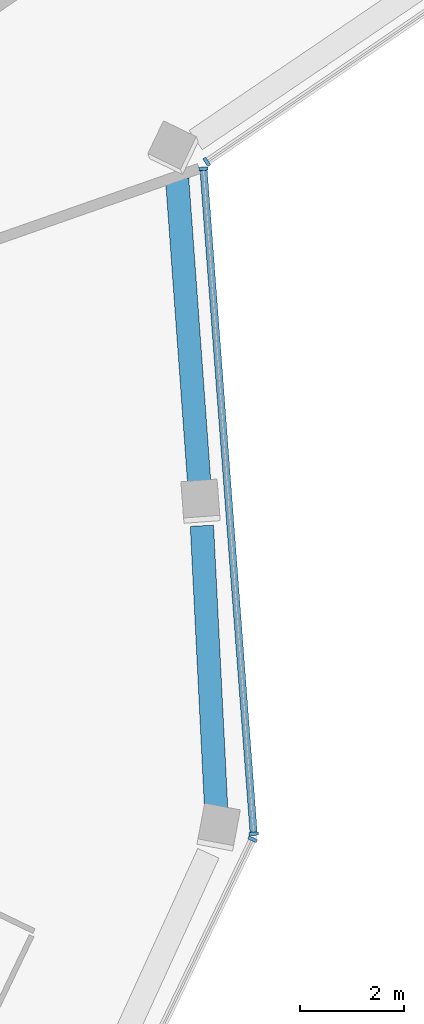
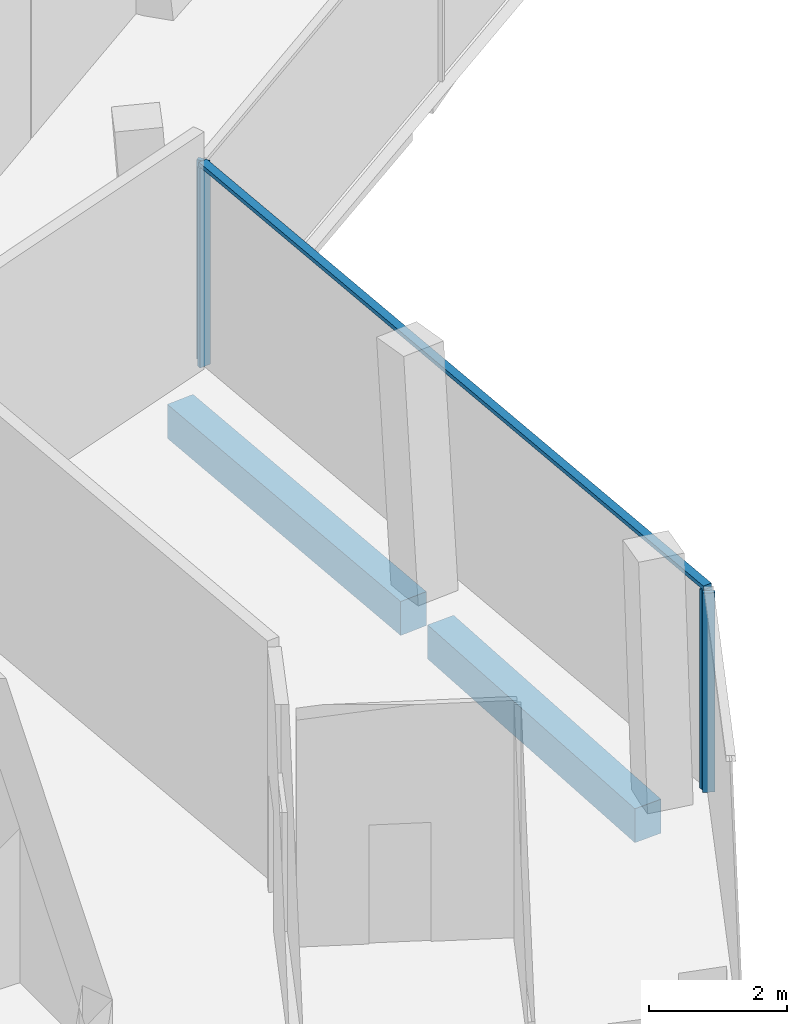
# One storey, part 6 of 19: 5 members, 2 beams, 3 elements without a shape of their own.
"""IFC4 building model written with IfcOpenShell, lengths in metres."""

from ifc_helpers import new_model, si_unit, direction, frame, origin, origin_2d, place, context, subcontext, project, spatial, rectangle, extrude, material, layer, layer_set, material_profile, profile_set, type_object, element, aggregate, save


model = new_model("IFC4")

# Units and contexts
model_context = context("Model", 3, precision=1e-05, world=origin(), true_north=direction((0.0, 1.0)))
body_context = subcontext(model_context, "Body", "Model", "MODEL_VIEW")
ifc_project = project(units=[si_unit("LENGTHUNIT", "METRE"), si_unit("AREAUNIT", "SQUARE_METRE"), si_unit("VOLUMEUNIT", "CUBIC_METRE"), si_unit("PLANEANGLEUNIT", "RADIAN"), si_unit("MASSUNIT", "GRAM", prefix="KILO")], contexts=[model_context])

# Site, building, storey
site_placement = place(None, origin())
site = spatial("IfcSite", under=ifc_project, at=site_placement, CompositionType="ELEMENT")
building_placement = place(site_placement, origin())
building = spatial("IfcBuilding", under=site, at=building_placement, Name="Verdalira Terraces Hotel", CompositionType="ELEMENT")
storey_placement = place(building_placement, frame((0.0, 0.0, 295.0)))
storey = spatial("IfcBuildingStorey", under=building, at=storey_placement, Name="L73", CompositionType="ELEMENT", Elevation=295.0)

# Curtain wall, member
ifc_material_1 = material(Name="Clear glass", Category="glass")
ifc_layer = layer(ifc_material_1, 0.179931640625)
ifc_layer_set = layer_set([ifc_layer], Name="CW4 curtain wall")
curtain_wall_type = type_object("IfcCurtainWallType", Name="CW4 curtain wall", PredefinedType="NOTDEFINED", material=ifc_layer_set)
curtain_wall_1_placement = place(storey_placement, origin())
curtain_wall_1 = element("IfcCurtainWall", 1, at=curtain_wall_1_placement, inside=storey, type_object=curtain_wall_type, Name="CW4 curtain wall L73 edge 26", PredefinedType="NOTDEFINED")
ifc_material_2 = material(Name="Terracotta frame", Category="masonry")
ifc_material_profile_1 = material_profile(ifc_material_2, rectangle(XDim=0.064941, YDim=0.179932, at=origin_2d()), Name="MU 65x180")
ifc_profile_set_1 = profile_set([ifc_material_profile_1], Name="Terracotta frame")
member_type_1 = type_object("IfcMemberType", Name="CW4 mullion 65x180", PredefinedType="MULLION", material=ifc_profile_set_1)
member_1_placement = place(storey_placement, frame((24.593506, -4.693848, 0.0), z_axis=(0.0, 0.0, 1.0), x_axis=(0.433344523, 0.901228342, 0.0)))
member_1 = element("IfcMember", 2, at=member_1_placement, type_object=member_type_1, Name="CW4 mullion", PredefinedType="MULLION", context=body_context, shape_type="SweptSolid", body=[
    extrude(rectangle(XDim=0.064941, YDim=0.179932, at=origin_2d()), origin(), (0.0, 0.0, 1.0), 3.52002),
])
aggregate(curtain_wall_1, [member_1])

# Curtain wall, members
curtain_wall_2_placement = place(storey_placement, origin())
curtain_wall_2 = element("IfcCurtainWall", 3, at=curtain_wall_2_placement, inside=storey, type_object=curtain_wall_type, Name="CW4 curtain wall L73 edge 27", PredefinedType="NOTDEFINED")
member_2_placement = place(storey_placement, frame((24.61377, -4.586182, 0.0), z_axis=(0.0, 0.0, 1.0), x_axis=(-0.075326806, 0.9971589, 0.0)))
member_2 = element("IfcMember", 4, at=member_2_placement, type_object=member_type_1, Name="CW4 mullion", PredefinedType="MULLION", context=body_context, shape_type="SweptSolid", body=[
    extrude(rectangle(XDim=0.064941, YDim=0.179932, at=origin_2d()), origin(), (0.0, 0.0, 1.0), 3.52002),
])
member_3_placement = place(storey_placement, frame((23.643799, 8.254639, 0.0), z_axis=(0.0, 0.0, 1.0), x_axis=(-0.075326806, 0.9971589, 0.0)))
member_3 = element("IfcMember", 5, at=member_3_placement, type_object=member_type_1, Name="CW4 mullion", PredefinedType="MULLION", context=body_context, shape_type="SweptSolid", body=[
    extrude(rectangle(XDim=0.064941, YDim=0.179932, at=origin_2d()), origin(), (0.0, 0.0, 1.0), 3.52002),
])

# Curtain wall, member
curtain_wall_3_placement = place(storey_placement, origin())
curtain_wall_3 = element("IfcCurtainWall", 6, at=curtain_wall_3_placement, inside=storey, type_object=curtain_wall_type, Name="CW4 curtain wall L73 edge 28", PredefinedType="NOTDEFINED")
member_4_placement = place(storey_placement, frame((23.707031, 8.386475, 0.0), z_axis=(0.0, 0.0, 1.0), x_axis=(0.825901536, 0.563814377, 0.0)))
member_4 = element("IfcMember", 7, at=member_4_placement, type_object=member_type_1, Name="CW4 mullion", PredefinedType="MULLION", context=body_context, shape_type="SweptSolid", body=[
    extrude(rectangle(XDim=0.064941, YDim=0.179932, at=origin_2d()), origin(), (0.0, 0.0, 1.0), 3.52002),
])
aggregate(curtain_wall_3, [member_4])

# Member
ifc_material_3 = material(Name="Terracotta frame", Category="masonry")
ifc_material_profile_2 = material_profile(ifc_material_3, rectangle(XDim=0.139893, YDim=0.070068, at=origin_2d()), Name="TR 70x140")
ifc_profile_set_2 = profile_set([ifc_material_profile_2], Name="Terracotta frame")
member_type_2 = type_object("IfcMemberType", Name="CW4 transom 70x140", PredefinedType="USERDEFINED", material=ifc_profile_set_2)
member_5_placement = place(storey_placement, frame((24.616211, -4.618652, 3.554932), z_axis=(-0.075321725, 0.997159284, 0.0), x_axis=(-0.997159284, -0.075321725, 0.0)))
member_5 = element("IfcMember", 8, at=member_5_placement, type_object=member_type_2, Name="CW4 transom", ObjectType="TRANSOM", PredefinedType="USERDEFINED", context=body_context, shape_type="SweptSolid", body=[
    extrude(rectangle(XDim=0.139893, YDim=0.070068, at=origin_2d()), origin(), (0.0, 0.0, 1.0), 12.942627),
])

aggregate(curtain_wall_2, [member_2, member_3, member_5])

# Beams
ifc_material_4 = material(Name="Concrete C40", Category="concrete")
ifc_material_profile_3 = material_profile(ifc_material_4, rectangle(XDim=0.449951, YDim=0.600098, at=origin_2d()), Name="RC 450X600")
ifc_profile_set_3 = profile_set([ifc_material_profile_3], Name="Concrete C40")
beam_type = type_object("IfcBeamType", Name="Spandrel beam RC 450X600 C40", PredefinedType="SPANDREL", material=ifc_profile_set_3)
beam_1_placement = place(storey_placement, frame((23.891113, -4.156006, -0.610107), z_axis=(-0.050255059, 0.998736416, 0.0), x_axis=(-0.998736416, -0.050255059, 0.0)))
element("IfcBeam", 9, at=beam_1_placement, inside=storey, type_object=beam_type, Name="Spandrel beam B17", PredefinedType="SPANDREL", context=body_context, shape_type="SweptSolid", body=[
    extrude(rectangle(XDim=0.449951, YDim=0.600098, at=origin_2d()), origin(), (0.0, 0.0, 1.0), 5.523682),
])
beam_2_placement = place(storey_placement, frame((23.570068, 2.067139, -0.610107), z_axis=(-0.072410095, 0.997374944, 0.0), x_axis=(-0.997374944, -0.072410095, 0.0)))
element("IfcBeam", 10, at=beam_2_placement, inside=storey, type_object=beam_type, Name="Spandrel beam B18", PredefinedType="SPANDREL", context=body_context, shape_type="SweptSolid", body=[
    extrude(rectangle(XDim=0.449951, YDim=0.600098, at=origin_2d()), origin(), (0.0, 0.0, 1.0), 6.011719),
])

save(model, "model.ifc")
